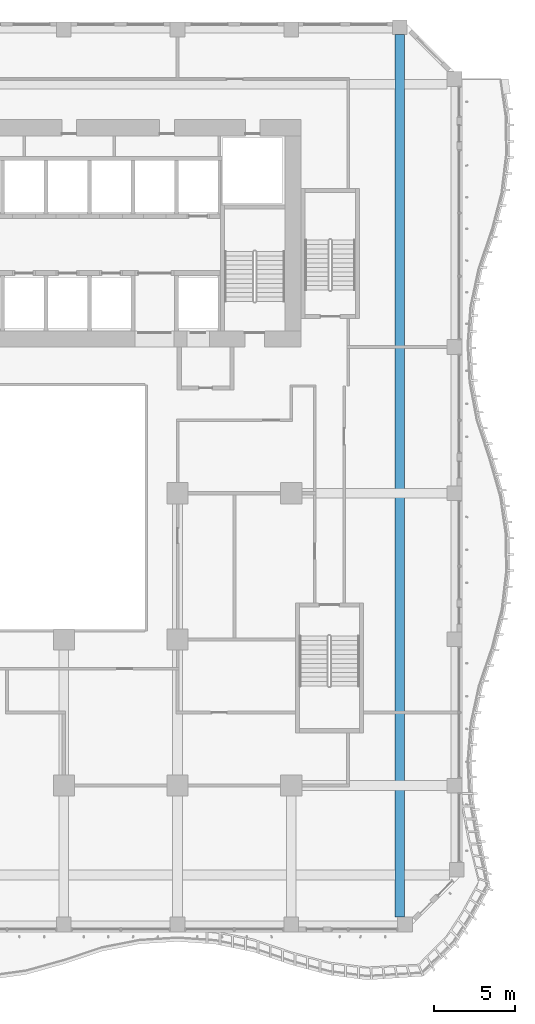
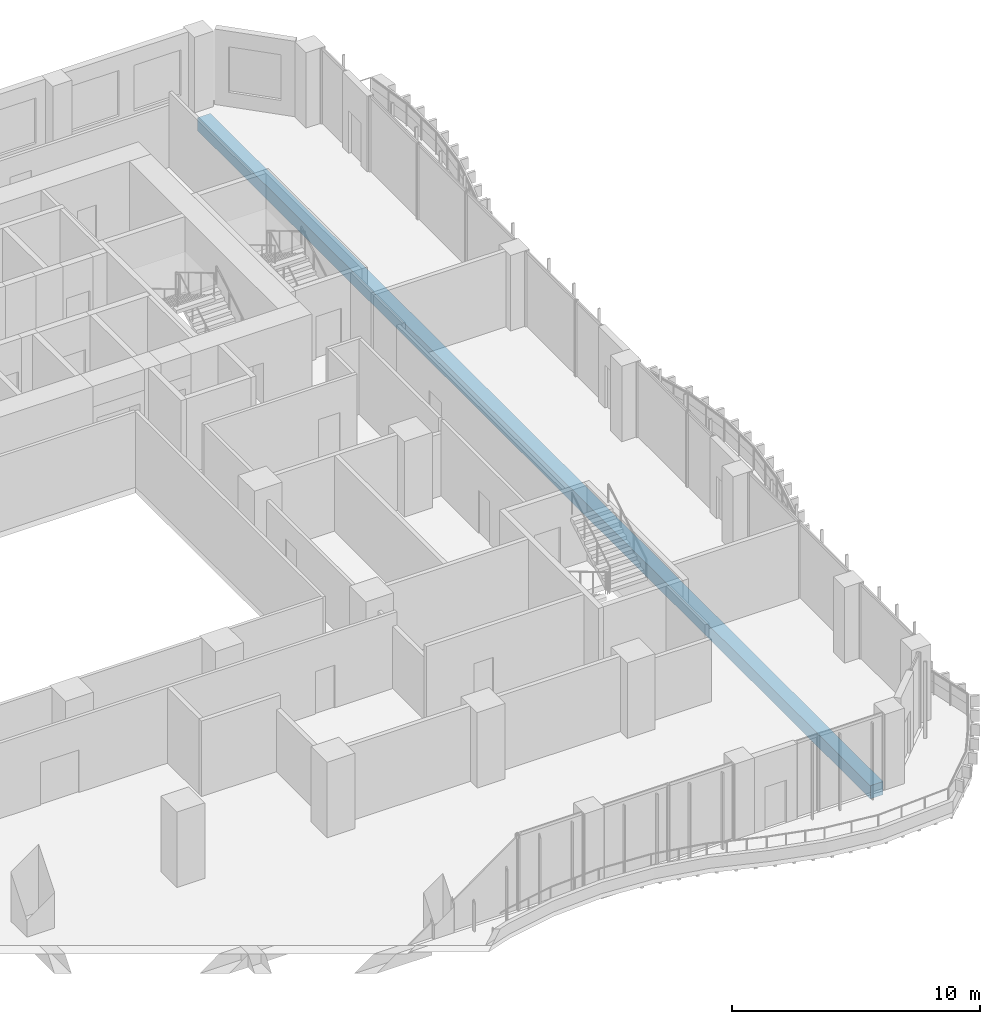
# One storey, part 7 of 26: 1 beam.
"""IFC4 building model written with IfcOpenShell, lengths in metres."""

import ifcopenshell
import ifcopenshell.guid

model = None  # the IFC model being written
_history = None  # IfcOwnerHistory: only IFC2X3 demands one
_inside = {}  # id of a spatial element -> (the spatial element, [elements in it])
_under = {}  # id of a project, library or spatial element -> (it, [spatial elements below it])
_declared = {}  # id of a project -> (the project, [libraries it declares])
_typed = {}  # id of a type object -> (the type object, [elements of that type])
_made_of = {}  # id of a material, layer set ... -> (it, [elements and type objects made of it])


def new_model(schema):
    """Start an empty IFC model of exactly this schema.

    Asked for "IFC4X3", IfcOpenShell would pick the latest addendum, in which some entities
    have other attributes; the version numbers below select the first issue.
    IFC2X3 requires an IfcOwnerHistory on every rooted entity: one is made here for all.
    """
    global model, _history
    if schema == "IFC4X3":
        model = ifcopenshell.file(schema_version=(4, 3, 0, 0))
    else:
        model = ifcopenshell.file(schema=schema)
    _inside.clear()
    _under.clear()
    _declared.clear()
    _typed.clear()
    _made_of.clear()
    _history = None
    if model.schema == "IFC2X3":
        org = make("IfcOrganization", Name="unknown")
        user = make(
            "IfcPersonAndOrganization",
            ThePerson=make("IfcPerson", FamilyName="unknown"),
            TheOrganization=org,
        )
        app = make(
            "IfcApplication",
            ApplicationDeveloper=org,
            Version="unknown",
            ApplicationFullName="unknown",
            ApplicationIdentifier="unknown",
        )
        _history = make(
            "IfcOwnerHistory",
            OwningUser=user,
            OwningApplication=app,
            ChangeAction="ADDED",
            CreationDate=0,
        )
    return model


def make(cls, **values):
    """One entity of the class cls with the attributes given. An attribute that is None is left unset."""
    return model.create_entity(
        cls, **{name: value for name, value in values.items() if value is not None}
    )


def rooted(cls, **values):
    """An entity with a GlobalId (a new one), such as an element, a storey or a relation."""
    return make(cls, GlobalId=ifcopenshell.guid.new(), OwnerHistory=_history, **values)


def si_unit(unit_type, name, prefix=None):
    """IfcSIUnit, for example si_unit("LENGTHUNIT", "METRE", prefix="MILLI")."""
    return make("IfcSIUnit", UnitType=unit_type, Prefix=prefix, Name=name)


def assignment(units):
    """IfcUnitAssignment: the units of a project."""
    return None if units is None else make("IfcUnitAssignment", Units=units)


def point(xyz):
    """IfcCartesianPoint."""
    return None if xyz is None else make("IfcCartesianPoint", Coordinates=xyz)


def direction(xyz):
    """IfcDirection."""
    return None if xyz is None else make("IfcDirection", DirectionRatios=xyz)


def frame(location, z_axis=None, x_axis=None):
    """IfcAxis2Placement3D, a coordinate frame: its origin and axes. An axis left out is left unset."""
    return make(
        "IfcAxis2Placement3D",
        Location=point(location),
        Axis=direction(z_axis),
        RefDirection=direction(x_axis),
    )


def frame_2d(location, x_axis=None):
    """IfcAxis2Placement2D, a coordinate frame in the plane: its origin and x axis."""
    return make(
        "IfcAxis2Placement2D", Location=point(location), RefDirection=direction(x_axis)
    )


def origin():
    """The frame at (0, 0, 0) with its axes left unset."""
    return frame((0.0, 0.0, 0.0))


def origin_2d():
    """The frame at (0, 0) in the plane with its x axis left unset."""
    return frame_2d((0.0, 0.0))


def place(relative_to, where):
    """IfcLocalPlacement: puts the frame where relative to a parent placement (None: the world)."""
    return make(
        "IfcLocalPlacement", PlacementRelTo=relative_to, RelativePlacement=where
    )


def context(
    kind, dimensions, precision=None, world=None, true_north=None, identifier=None
):
    """IfcGeometricRepresentationContext, for example the 3D "Model" context."""
    return make(
        "IfcGeometricRepresentationContext",
        ContextIdentifier=identifier,
        ContextType=kind,
        CoordinateSpaceDimension=dimensions,
        Precision=precision,
        WorldCoordinateSystem=world,
        TrueNorth=true_north,
    )


def subcontext(parent, identifier, kind, view, scale=None):
    """IfcGeometricRepresentationSubContext, for example "Body" below "Model"."""
    return make(
        "IfcGeometricRepresentationSubContext",
        ContextIdentifier=identifier,
        ContextType=kind,
        ParentContext=parent,
        TargetScale=scale,
        TargetView=view,
    )


def project(units=None, contexts=None):
    """IfcProject with its units and contexts."""
    return rooted(
        "IfcProject",
        Name="project",
        RepresentationContexts=contexts,
        UnitsInContext=assignment(units),
    )


def spatial(cls, under=None, at=None, **own):
    """A site, building, storey or space (cls), placed at a placement, below another one or the project."""
    s = rooted(cls, ObjectPlacement=at, **own)
    if under is not None:
        _under.setdefault(under.id(), (under, []))[1].append(s)
    return s


def profile(cls, at=None, kind="AREA", **sizes):
    """A parametric profile (cls). Its sizes go by their IFC names, for example OverallWidth=200.0."""
    return make(cls, ProfileType=kind, Position=at, **sizes)


def rectangle(**sizes):
    """IfcRectangleProfileDef."""
    return profile("IfcRectangleProfileDef", **sizes)


def extrude(swept, where, along, depth):
    """IfcExtrudedAreaSolid: the profile swept, set in the frame where, extruded along a direction by depth."""
    return make(
        "IfcExtrudedAreaSolid",
        SweptArea=swept,
        Position=where,
        ExtrudedDirection=direction(along),
        Depth=depth,
    )


def shape(context_of_items, identifier, shape_type, items):
    """IfcShapeRepresentation: the items that make up one representation, for example the "Body"."""
    return make(
        "IfcShapeRepresentation",
        ContextOfItems=context_of_items,
        RepresentationIdentifier=identifier,
        RepresentationType=shape_type,
        Items=items,
    )


def source(mapping_origin, context_of_items, identifier, shape_type, items):
    """IfcRepresentationMap: a shape defined once, which mapped items show again and again."""
    return make(
        "IfcRepresentationMap",
        MappingOrigin=mapping_origin,
        MappedRepresentation=shape(context_of_items, identifier, shape_type, items),
    )


def transform(
    local_origin,
    x_axis=None,
    y_axis=None,
    z_axis=None,
    scale=None,
    scale2=None,
    scale3=None,
    uniform=True,
):
    """IfcCartesianTransformationOperator3D, or its non-uniform kind. x_axis, y_axis, z_axis: its Axis1, 2, 3."""
    if uniform:
        return make(
            "IfcCartesianTransformationOperator3D",
            Axis1=direction(x_axis),
            Axis2=direction(y_axis),
            LocalOrigin=point(local_origin),
            Scale=scale,
            Axis3=direction(z_axis),
        )
    return make(
        "IfcCartesianTransformationOperator3DnonUniform",
        Axis1=direction(x_axis),
        Axis2=direction(y_axis),
        LocalOrigin=point(local_origin),
        Scale=scale,
        Axis3=direction(z_axis),
        Scale2=scale2,
        Scale3=scale3,
    )


def mapped(mapping_source, mapping_target):
    """IfcMappedItem: shows the shape of a source again, moved by a transform."""
    return make(
        "IfcMappedItem", MappingSource=mapping_source, MappingTarget=mapping_target
    )


def material(Name=None, Category=None):
    """IfcMaterial."""
    return make("IfcMaterial", Name=Name, Category=Category)


def material_profile(
    of_material, cross_section, Name=None, Category=None, Priority=None
):
    """IfcMaterialProfile: a cross section and its material."""
    return make(
        "IfcMaterialProfile",
        Name=Name,
        Material=of_material,
        Profile=cross_section,
        Priority=Priority,
        Category=Category,
    )


def profile_set(profiles, Name=None, composite=None):
    """IfcMaterialProfileSet."""
    return make(
        "IfcMaterialProfileSet",
        Name=Name,
        MaterialProfiles=profiles,
        CompositeProfile=composite,
    )


def made_of(thing, what):
    """Note that an element or type object is made of a material, layer set ...; save() writes the relation."""
    if what is not None:
        _made_of.setdefault(what.id(), (what, []))[1].append(thing)
    return thing


def type_object(cls, material=None, **own):
    """A type object (cls), such as IfcWallType, which elements share."""
    return made_of(rooted(cls, **own), material)


def element(
    cls,
    number,
    at=None,
    inside=None,
    cuts=None,
    type_object=None,
    material=None,
    context=None,
    identifier="Body",
    shape_type=None,
    held_by="IfcProductDefinitionShape",
    body=None,
    shapes=None,
    **own,
):
    """One element of the class cls, such as IfcWall. Its Tag is "e" and its number.

    at: its placement. inside: the storey or other place that contains it. cuts: it is an
    opening in that element (IfcRelVoidsElement). A single representation is given by context,
    identifier, shape_type and body (its items); several are given by shapes. held_by: the class
    of the entity that holds the representations. save() writes the other relations.
    """
    e = rooted(cls, Tag="e%d" % number, ObjectPlacement=at, **own)
    if body is not None:
        shapes = [shape(context, identifier, shape_type, body)]
    if shapes is not None:
        e.Representation = make(held_by, Representations=shapes)
    if inside is not None:
        _inside.setdefault(inside.id(), (inside, []))[1].append(e)
    if cuts is not None:
        rooted(
            "IfcRelVoidsElement", RelatingBuildingElement=cuts, RelatedOpeningElement=e
        )
    if type_object is not None:
        _typed.setdefault(type_object.id(), (type_object, []))[1].append(e)
    return made_of(e, material)


def aggregate(whole, parts):
    """IfcRelAggregates: a whole, such as a stair, and the parts it consists of."""
    return rooted("IfcRelAggregates", RelatingObject=whole, RelatedObjects=parts)


def save(model, path):
    """Write the relations noted so far, then the file.

    IfcRelAggregates (storeys below a building ...), IfcRelContainedInSpatialStructure (elements
    in a storey), IfcRelDefinesByType, IfcRelAssociatesMaterial and IfcRelDeclares: one each for
    every whole, place, type object, material and project.
    """
    for whole, parts in _under.values():
        aggregate(whole, parts)
    for where, things in _inside.values():
        rooted(
            "IfcRelContainedInSpatialStructure",
            RelatedElements=things,
            RelatingStructure=where,
        )
    for kind, things in _typed.values():
        rooted("IfcRelDefinesByType", RelatedObjects=things, RelatingType=kind)
    for what, things in _made_of.values():
        rooted("IfcRelAssociatesMaterial", RelatedObjects=things, RelatingMaterial=what)
    for by, libraries in _declared.values():
        rooted("IfcRelDeclares", RelatingContext=by, RelatedDefinitions=libraries)
    model.write(path)


model = new_model("IFC4")

# Units and contexts
model_context = context("Model", 3, precision=1e-05, world=origin(), true_north=direction((0.0, 1.0)))
body_context = subcontext(model_context, "Body", "Model", "MODEL_VIEW")
ifc_project = project(units=[si_unit("LENGTHUNIT", "METRE"), si_unit("AREAUNIT", "SQUARE_METRE"), si_unit("VOLUMEUNIT", "CUBIC_METRE"), si_unit("PLANEANGLEUNIT", "RADIAN"), si_unit("MASSUNIT", "GRAM", prefix="KILO")], contexts=[model_context])

# Site, building, storey
site_placement = place(None, origin())
site = spatial("IfcSite", under=ifc_project, at=site_placement, CompositionType="ELEMENT")
building_placement = place(site_placement, origin())
building = spatial("IfcBuilding", under=site, at=building_placement, Name="Kilnfold Tower and Market Hall", CompositionType="ELEMENT")
storey_placement = place(building_placement, frame((0.0, 0.0, 31.0)))
storey = spatial("IfcBuildingStorey", under=building, at=storey_placement, Name="L06", CompositionType="ELEMENT", Elevation=31.0)

# Beam
ifc_material = material(Name="Concrete C45", Category="concrete")
ifc_material_profile = material_profile(ifc_material, rectangle(XDim=0.60009765625, YDim=0.64990234375, at=origin_2d()), Name="RC 600x650")
ifc_profile_set = profile_set([ifc_material_profile], Name="Concrete C45")
beam_type = type_object("IfcBeamType", Name="BEAM 600X650 C45", PredefinedType="BEAM", material=ifc_profile_set)
shared_shape = source(origin(), body_context, "Body", "SweptSolid", [
    extrude(rectangle(XDim=0.60009765625, YDim=0.64990234375, at=origin_2d()), origin(), (0.0, 0.0, 1.0), 54.331787109375),
])
beam_placement = place(storey_placement, frame((24.179931640625, -27.10009765625, -0.60498046875), z_axis=(0.0, 1.0, 0.0), x_axis=(-1.0, 0.0, 0.0)))
element("IfcBeam", 1, at=beam_placement, inside=storey, type_object=beam_type, Name="Beam BB650-B1.57", PredefinedType="BEAM", context=body_context, shape_type="MappedRepresentation", body=[
    mapped(shared_shape, transform((0.0, 0.0, 0.0))),
])

save(model, "model.ifc")
